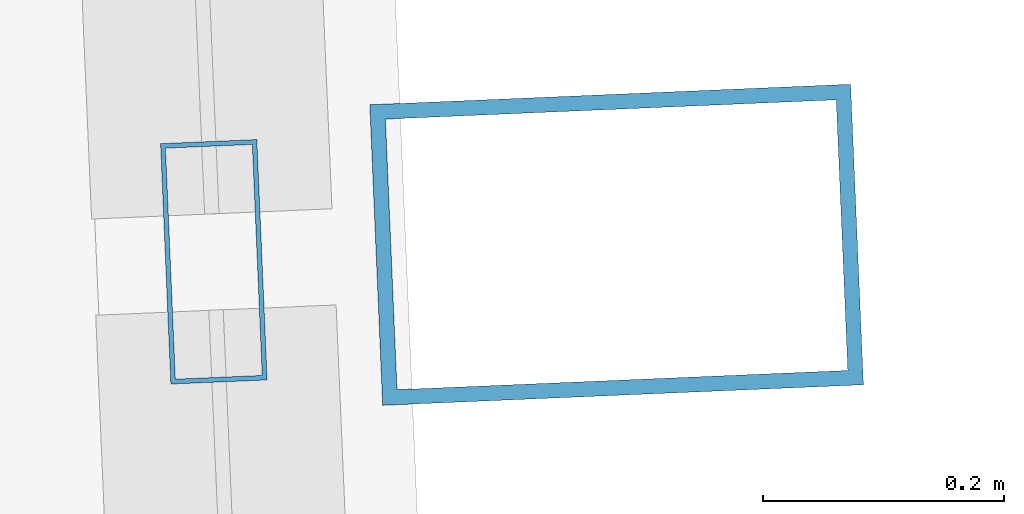
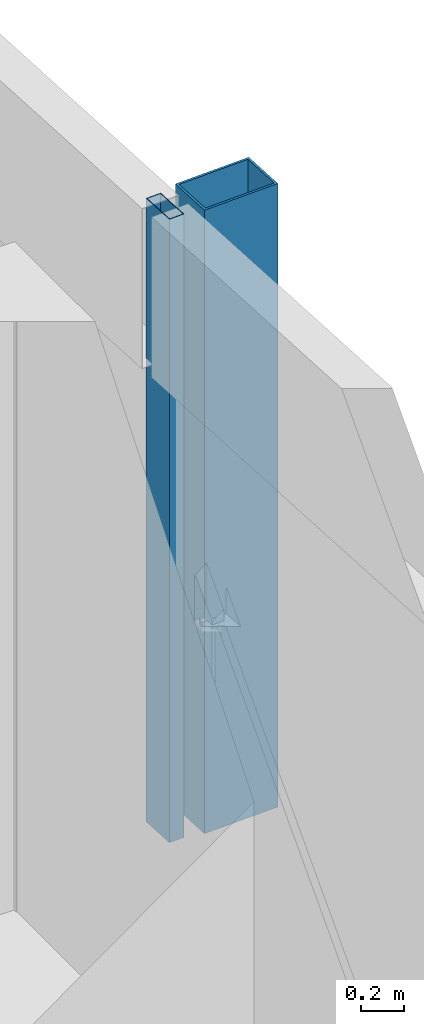
# One storey, part 29 of 44: 2 members, 1 element without a shape of its own.
"""IFC4 building model written with IfcOpenShell, lengths in metres."""

from ifc_helpers import new_model, si_unit, direction, frame, origin, origin_2d, place, context, subcontext, project, spatial, hollow_rectangle, extrude, material, material_profile, profile_set, type_object, element, aggregate, save


model = new_model("IFC4")

# Units and contexts
model_context = context("Model", 3, precision=1e-05, world=origin(), true_north=direction((0.0, 1.0)))
body_context = subcontext(model_context, "Body", "Model", "MODEL_VIEW")
ifc_project = project(units=[si_unit("LENGTHUNIT", "METRE"), si_unit("AREAUNIT", "SQUARE_METRE"), si_unit("VOLUMEUNIT", "CUBIC_METRE"), si_unit("PLANEANGLEUNIT", "RADIAN"), si_unit("MASSUNIT", "GRAM", prefix="KILO")], contexts=[model_context])

# Site, building, storey
site_placement = place(None, origin())
site = spatial("IfcSite", under=ifc_project, at=site_placement, CompositionType="ELEMENT")
building_placement = place(site_placement, origin())
building = spatial("IfcBuilding", under=site, at=building_placement, Name="Rekha Terrace Tower", CompositionType="ELEMENT")
storey_placement = place(building_placement, frame((0.0, 0.0, 59.14990234375)))
storey = spatial("IfcBuildingStorey", under=building, at=storey_placement, Name="L14", CompositionType="ELEMENT", Elevation=59.14990234375)

# Curtain wall, members
ifc_material_1 = material(Name="Aluminium framing", Category="aluminium")
curtain_wall_type = type_object("IfcCurtainWallType", Name="CW2 double skin outer glazing", PredefinedType="USERDEFINED", material=ifc_material_1)
curtain_wall_placement = place(storey_placement, origin())
curtain_wall = element("IfcCurtainWall", 1, at=curtain_wall_placement, inside=storey, type_object=curtain_wall_type, Name="CW2 double skin outer glazing", ObjectType="DOUBLE SKIN OUTER GLAZING", PredefinedType="USERDEFINED")
ifc_material_2 = material(Name="Steel S355 with fluorocarbon finish", Category="steel")
ifc_material_profile_1 = material_profile(ifc_material_2, hollow_rectangle(XDim=0.25, YDim=0.39990234375, WallThickness=0.012451171875, at=origin_2d()), Name="RHS400x250x12.5")
ifc_profile_set_1 = profile_set([ifc_material_profile_1], Name="Steel S355 with fluorocarbon finish")
member_type_1 = type_object("IfcMemberType", Name="BL1 facade blade RHS 400 x 250", PredefinedType="USERDEFINED", material=ifc_profile_set_1)
member_1_placement = place(storey_placement, frame((69.554443359375, 51.724609375, 0.0), z_axis=(0.0, 0.0, 1.0), x_axis=(-0.04269522475, 0.99908814315, 0.0)))
member_1 = element("IfcMember", 2, at=member_1_placement, type_object=member_type_1, Name="Facade blade", ObjectType="FACADE BLADE", PredefinedType="USERDEFINED", context=body_context, shape_type="SweptSolid", body=[
    extrude(hollow_rectangle(XDim=0.25, YDim=0.39990234375, WallThickness=0.012451171875, at=origin_2d()), origin(), (0.0, 0.0, 1.0), 3.5),
])
ifc_material_3 = material(Name="Aluminium mullion section", Category="aluminium")
ifc_material_profile_2 = material_profile(ifc_material_3, hollow_rectangle(XDim=0.080078125, YDim=0.199951171875, WallThickness=0.00390625, at=origin_2d()), Name="AL RHS 80x200")
ifc_profile_set_2 = profile_set([ifc_material_profile_2], Name="Aluminium mullion section")
member_type_2 = type_object("IfcMemberType", Name="CW2 mullion RHS 80 x 200", PredefinedType="MULLION", material=ifc_profile_set_2)
member_2_placement = place(storey_placement, frame((69.2197265625, 51.71044921875, 0.0), z_axis=(0.0, 0.0, 1.0), x_axis=(-0.999088106903, -0.042696072956, 0.0)))
member_2 = element("IfcMember", 3, at=member_2_placement, type_object=member_type_2, Name="CW2 mullion 4", PredefinedType="MULLION", context=body_context, shape_type="SweptSolid", body=[
    extrude(hollow_rectangle(XDim=0.080078125, YDim=0.199951171875, WallThickness=0.00390625, at=origin_2d()), origin(), (0.0, 0.0, 1.0), 3.5),
])
aggregate(curtain_wall, [member_2, member_1])

save(model, "model.ifc")
